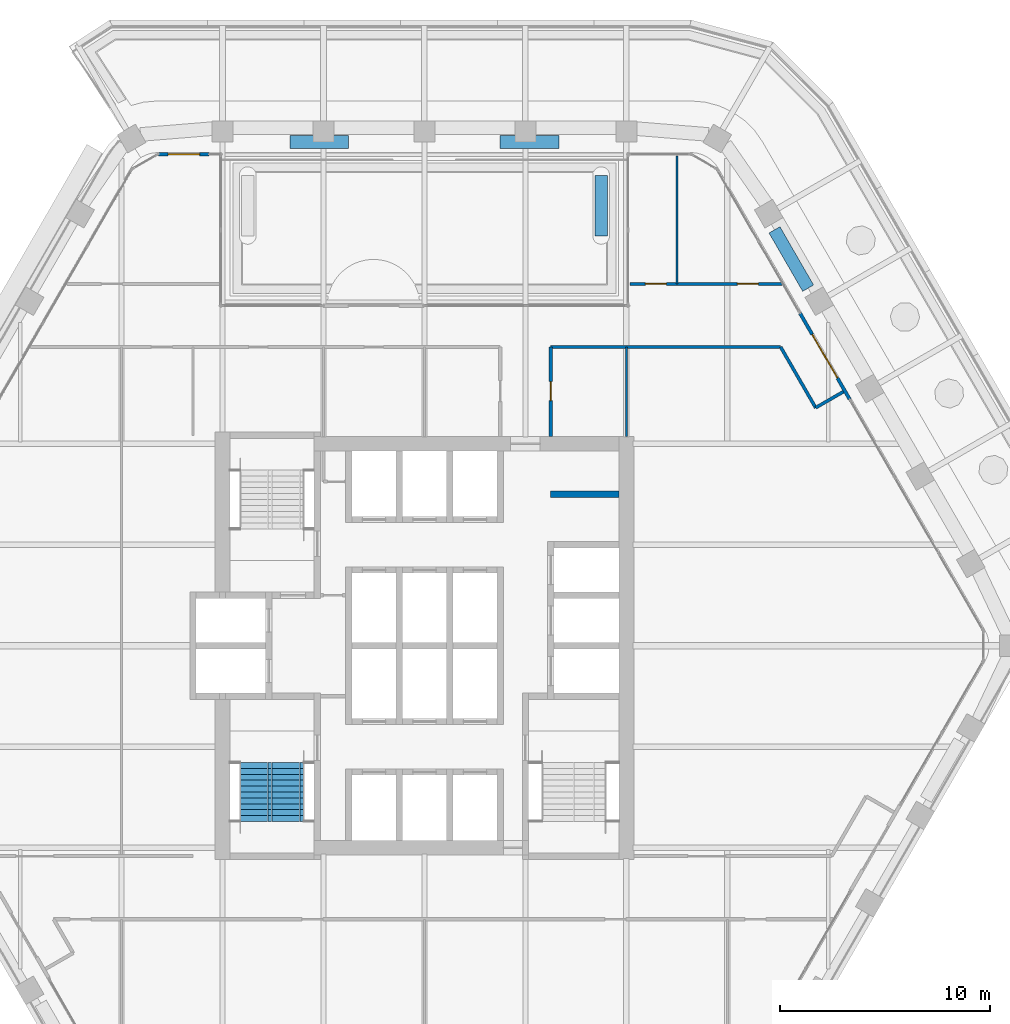
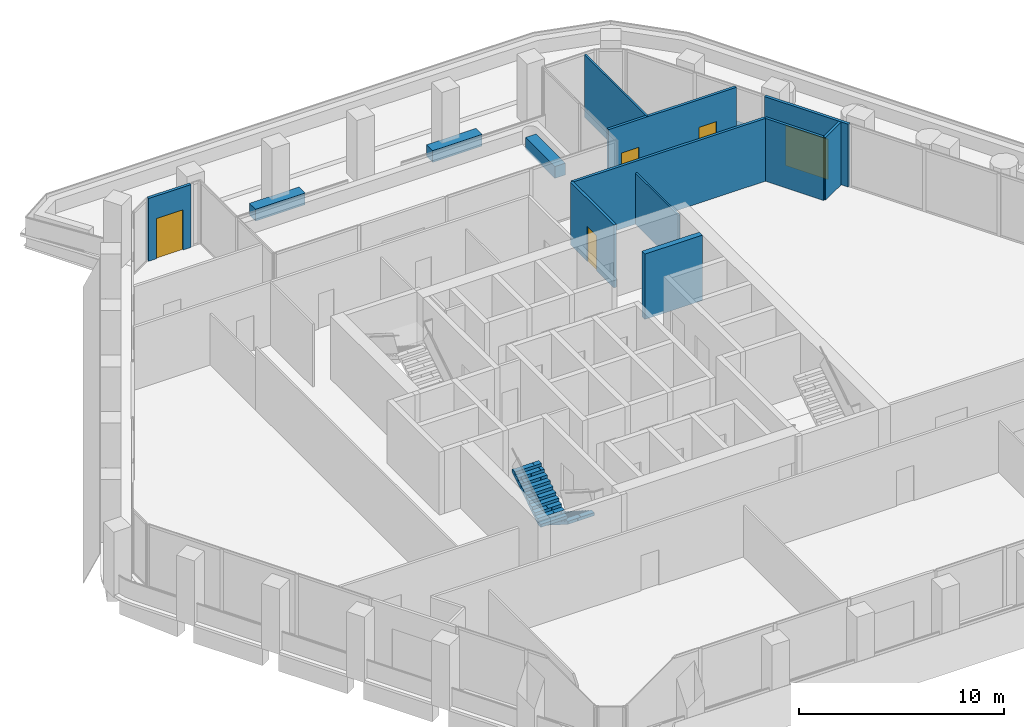
# One storey, part 14 of 17: 14 walls, 5 doors, 2 stair flights, 5 openings, 1 element without a shape of its own.
"""IFC4 building model written with IfcOpenShell, lengths in metres."""

from ifc_helpers import new_model, si_unit, direction, frame, frame_2d, origin, place, context, subcontext, project, spatial, polyline, rectangle, outline, extrude, material, layer, layer_set, type_object, element, fill, aggregate, save


model = new_model("IFC4")

# Units and contexts
model_context = context("Model", 3, precision=1e-05, world=origin(), true_north=direction((0.0, 1.0)))
body_context = subcontext(model_context, "Body", "Model", "MODEL_VIEW")
ifc_project = project(units=[si_unit("LENGTHUNIT", "METRE"), si_unit("AREAUNIT", "SQUARE_METRE"), si_unit("VOLUMEUNIT", "CUBIC_METRE"), si_unit("PLANEANGLEUNIT", "RADIAN"), si_unit("MASSUNIT", "GRAM", prefix="KILO")], contexts=[model_context])

# Site, building, storey
site_placement = place(None, origin())
site = spatial("IfcSite", under=ifc_project, at=site_placement, CompositionType="ELEMENT")
building_placement = place(site_placement, origin())
building = spatial("IfcBuilding", under=site, at=building_placement, Name="Kolab Exchange Tower", CompositionType="ELEMENT")
storey_placement = place(building_placement, frame((0.0, 0.0, 166.10009765625)))
storey = spatial("IfcBuildingStorey", under=building, at=storey_placement, Name="L34", CompositionType="ELEMENT", Elevation=166.10009765625)

# Wall, opening, door
ifc_material_1 = material(Name="Aluminium EN AW-6063 T6", Category="aluminium")
ifc_layer_1 = layer(ifc_material_1, 0.159912109375)
ifc_layer_set_1 = layer_set([ifc_layer_1], Name="Aluminium EN AW-6063 T6")
wall_type_1 = type_object("IfcWallType", Name="DOOR SURROUND WALL 160 ALUMINIUM FRAMED", PredefinedType="PARTITIONING", material=ifc_layer_set_1)
wall_1_placement = place(storey_placement, frame((-12.637939453125, 23.361572265625, 0.0), z_axis=(0.0, 0.0, 1.0), x_axis=(1.0, 0.0, 0.0)))
wall_1 = element("IfcWall", 1, at=wall_1_placement, inside=storey, type_object=wall_type_1, Name="Door surround wall", PredefinedType="PARTITIONING", context=body_context, shape_type="SweptSolid", body=[
    extrude(rectangle(XDim=2.39990234375, YDim=0.159912109375, at=frame_2d((1.199951171875, 0.0))), origin(), (0.0, 0.0, 1.0), 3.75),
])
opening_1_placement = place(wall_1_placement, frame((0.449951171875, 0.0, 0.0)))
opening_1 = element("IfcOpeningElement", 2, at=opening_1_placement, cuts=wall_1, Name="Opening GD2-007", PredefinedType="OPENING", context=body_context, shape_type="SweptSolid", body=[
    extrude(rectangle(XDim=1.5, YDim=2.39990234375, at=frame_2d((0.75, 1.199951171875))), frame((0.0, 0.08984375, 0.0), z_axis=(0.0, -1.0, 0.0), x_axis=(1.0, 0.0, 0.0)), (0.0, 0.0, 1.0), 0.179931640625),
])
door_type_1 = type_object("IfcDoorType", Name="LOGGIA SLIDING GLASS DOOR 1500 X 2400", OperationType="SLIDING_TO_LEFT", PredefinedType="DOOR", material=ifc_material_1)
door_1_placement = place(opening_1_placement, origin())
door_1 = element("IfcDoor", 3, at=door_1_placement, inside=storey, type_object=door_type_1, Name="Loggia door", OperationType="DOUBLE_DOOR_SLIDING", OverallHeight=2.39990234375, OverallWidth=1.5, PredefinedType="DOOR", context=body_context, shape_type="SweptSolid", body=[
    extrude(rectangle(XDim=1.5, YDim=2.39990234375, at=frame_2d((0.75, 1.199951171875))), frame((0.0, 0.02490234375, 0.0), z_axis=(0.0, -1.0, 0.0), x_axis=(1.0, 0.0, 0.0)), (0.0, 0.0, 1.0), 0.050048828125),
])
fill(opening_1, door_1)

wall_2_placement = place(storey_placement, frame((17.8466796875, 15.811767578125, 0.0), z_axis=(0.0, 0.0, 1.0), x_axis=(0.5000167099, -0.866015756104, 0.0)))
wall_2 = element("IfcWall", 4, at=wall_2_placement, inside=storey, type_object=wall_type_1, Name="Door surround wall", PredefinedType="PARTITIONING", context=body_context, shape_type="SweptSolid", body=[
    extrude(rectangle(XDim=4.739990234375, YDim=0.159912109375, at=frame_2d((2.3701171875, 0.0))), origin(), (0.0, 0.0, 1.0), 3.75),
])
opening_2_placement = place(wall_2_placement, frame((1.169921875, 0.0, 0.0)))
opening_2 = element("IfcOpeningElement", 5, at=opening_2_placement, cuts=wall_2, Name="Opening GD1-065", PredefinedType="OPENING", context=body_context, shape_type="SweptSolid", body=[
    extrude(rectangle(XDim=2.39990234375, YDim=2.39990234375, at=frame_2d((1.199951171875, 1.199951171875))), frame((0.0, 0.08984375, 0.0), z_axis=(0.0, -1.0, 0.0), x_axis=(1.0, 0.0, 0.0)), (0.0, 0.0, 1.0), 0.179931640625),
])
door_type_2 = type_object("IfcDoorType", Name="LOGGIA SLIDING GLASS DOOR 2400 X 2400", OperationType="DOUBLE_DOOR_SINGLE_SWING", PredefinedType="DOOR", material=ifc_material_1)
door_2_placement = place(opening_2_placement, origin())
door_2 = element("IfcDoor", 6, at=door_2_placement, inside=storey, type_object=door_type_2, Name="Loggia door", OperationType="DOUBLE_DOOR_SLIDING", OverallHeight=2.39990234375, OverallWidth=2.39990234375, PredefinedType="DOOR", context=body_context, shape_type="SweptSolid", body=[
    extrude(rectangle(XDim=2.39990234375, YDim=2.39990234375, at=frame_2d((1.199951171875, 1.199951171875))), frame((0.0, 0.02490234375, 0.0), z_axis=(0.0, -1.0, 0.0), x_axis=(1.0, 0.0, 0.0)), (0.0, 0.0, 1.0), 0.050048828125),
])
fill(opening_2, door_2)

# Walls
ifc_material_2 = material(Name="Concrete C50/60", Category="concrete")
ifc_layer_2 = layer(ifc_material_2, 0.300048828125)
ifc_layer_set_2 = layer_set([ifc_layer_2], Name="Concrete C50/60")
wall_type_2 = type_object("IfcWallType", Name="LIFT SHAFT WALL 300 C50/60", PredefinedType="STANDARD", material=ifc_layer_set_2)
wall_3_placement = place(storey_placement, frame((6.0, 7.199951171875, -0.150146484375), z_axis=(0.0, 0.0, 1.0), x_axis=(1.0, 0.0, 0.0)))
element("IfcWall", 7, at=wall_3_placement, inside=storey, type_object=wall_type_2, Name="wall/L34/core/030", PredefinedType="STANDARD", context=body_context, shape_type="SweptSolid", body=[
    extrude(rectangle(XDim=3.25, YDim=0.300048828125, at=frame_2d((1.625, 0.0))), origin(), (0.0, 0.0, 1.0), 3.900146484375),
])
ifc_material_3 = material(Name="Gypsum board", Category="gypsum")
ifc_layer_3 = layer(ifc_material_3, 0.10009765625)
ifc_layer_set_3 = layer_set([ifc_layer_3], Name="Gypsum board")
wall_type_3 = type_object("IfcWallType", Name="PARTITION 100", PredefinedType="PARTITIONING", material=ifc_layer_set_3)
wall_4_placement = place(storey_placement, frame((12.0, 17.199951171875, 0.0), z_axis=(0.0, 0.0, 1.0), x_axis=(0.0, 1.0, 0.0)))
element("IfcWall", 8, at=wall_4_placement, inside=storey, type_object=wall_type_3, Name="Partition 001", PredefinedType="PARTITIONING", context=body_context, shape_type="SweptSolid", body=[
    extrude(rectangle(XDim=6.071533203125, YDim=0.10009765625, at=frame_2d((3.03564453125, 0.0))), origin(), (0.0, 0.0, 1.0), 3.75),
])
wall_5_placement = place(storey_placement, frame((9.60009765625, 9.949951171875, 0.0), z_axis=(0.0, 0.0, 1.0), x_axis=(0.0, 1.0, 0.0)))
element("IfcWall", 9, at=wall_5_placement, inside=storey, type_object=wall_type_3, Name="Partition 002", PredefinedType="PARTITIONING", context=body_context, shape_type="SweptSolid", body=[
    extrude(rectangle(XDim=4.25, YDim=0.10009765625, at=frame_2d((2.125, 0.0))), origin(), (0.0, 0.0, 1.0), 3.06591796875),
])

# Wall, opening, door
ifc_layer_4 = layer(ifc_material_3, 0.14990234375)
ifc_layer_set_4 = layer_set([ifc_layer_4], Name="Gypsum board")
wall_type_4 = type_object("IfcWallType", Name="PARTITION 150 FIRE-RATED", PredefinedType="PARTITIONING", material=ifc_layer_set_4)
wall_6_placement = place(storey_placement, frame((6.0, 9.949951171875, 0.0), z_axis=(0.0, 0.0, 1.0), x_axis=(0.0, 1.0, 0.0)))
wall_6 = element("IfcWall", 10, at=wall_6_placement, inside=storey, type_object=wall_type_4, Name="Partition 003", PredefinedType="PARTITIONING", context=body_context, shape_type="SweptSolid", body=[
    extrude(rectangle(XDim=4.25, YDim=0.14990234375, at=frame_2d((2.125, 0.0))), origin(), (0.0, 0.0, 1.0), 3.75),
])
opening_3_placement = place(wall_6_placement, frame((1.699951171875, 0.0, 0.0)))
opening_3 = element("IfcOpeningElement", 11, at=opening_3_placement, cuts=wall_6, Name="Opening D3-048", PredefinedType="OPENING", context=body_context, shape_type="SweptSolid", body=[
    extrude(rectangle(XDim=0.89990234375, YDim=2.10009765625, at=frame_2d((0.449951171875, 1.050048828125))), frame((0.0, 0.0849609375, 0.0), z_axis=(0.0, -1.0, 0.0), x_axis=(1.0, 0.0, 0.0)), (0.0, 0.0, 1.0), 0.169921875),
])
ifc_material_4 = material(Name="Steel S235", Category="steel")
door_type_3 = type_object("IfcDoorType", Name="FLUSH DOOR 900 FD60", OperationType="SINGLE_SWING_LEFT", PredefinedType="DOOR", material=ifc_material_4)
door_3_placement = place(opening_3_placement, frame((0.89990234375, 0.0, 0.0), z_axis=(0.0, 0.0, 1.0), x_axis=(-1.0, 0.0, 0.0)))
door_3 = element("IfcDoor", 12, at=door_3_placement, inside=storey, type_object=door_type_3, Name="Door L34-029", OperationType="SINGLE_SWING_LEFT", OverallHeight=2.10009765625, OverallWidth=0.89990234375, PredefinedType="DOOR", context=body_context, shape_type="SweptSolid", body=[
    extrude(rectangle(XDim=0.89990234375, YDim=2.10009765625, at=frame_2d((0.449951171875, 1.050048828125))), frame((0.0, 0.02490234375, 0.0), z_axis=(0.0, -1.0, 0.0), x_axis=(1.0, 0.0, 0.0)), (0.0, 0.0, 1.0), 0.050048828125),
])
fill(opening_3, door_3)

# Walls
wall_7_placement = place(storey_placement, frame((16.9296875, 14.199951171875, 0.0), z_axis=(0.0, 0.0, 1.0), x_axis=(0.499976106316, -0.86603919837, 0.0)))
element("IfcWall", 13, at=wall_7_placement, inside=storey, type_object=wall_type_4, Name="Partition 013", PredefinedType="PARTITIONING", context=body_context, shape_type="SweptSolid", body=[
    extrude(rectangle(XDim=3.332763671875, YDim=0.14990234375, at=frame_2d((1.66650390625, 0.0))), origin(), (0.0, 0.0, 1.0), 3.75),
])
wall_8_placement = place(storey_placement, frame((18.595947265625, 11.313720703125, 0.0), z_axis=(0.0, 0.0, 1.0), x_axis=(0.866030456496, 0.499991248344, 0.0)))
element("IfcWall", 14, at=wall_8_placement, inside=storey, type_object=wall_type_4, Name="Partition 017", PredefinedType="PARTITIONING", context=body_context, shape_type="SweptSolid", body=[
    extrude(rectangle(XDim=1.52001953125, YDim=0.14990234375, at=frame_2d((0.760009765625, 0.0))), origin(), (0.0, 0.0, 1.0), 3.75),
])
wall_9_placement = place(storey_placement, frame((6.0, 14.199951171875, 0.0), z_axis=(0.0, 0.0, 1.0), x_axis=(1.0, 0.0, 0.0)))
element("IfcWall", 15, at=wall_9_placement, inside=storey, type_object=wall_type_4, Name="Partition 023", PredefinedType="PARTITIONING", context=body_context, shape_type="SweptSolid", body=[
    extrude(rectangle(XDim=10.9296875, YDim=0.14990234375, at=frame_2d((5.46484375, 0.0))), origin(), (0.0, 0.0, 1.0), 3.75),
])

# Wall, openings, doors
wall_10_placement = place(storey_placement, frame((9.77001953125, 17.199951171875, 0.0), z_axis=(0.0, 0.0, 1.0), x_axis=(1.0, 0.0, 0.0)))
wall_10 = element("IfcWall", 16, at=wall_10_placement, inside=storey, type_object=wall_type_4, Name="Partition 025", PredefinedType="PARTITIONING", context=body_context, shape_type="SweptSolid", body=[
    extrude(rectangle(XDim=7.22900390625, YDim=0.14990234375, at=frame_2d((3.614501953125, 0.0))), origin(), (0.0, 0.0, 1.0), 3.75),
])
opening_4_placement = place(wall_10_placement, frame((0.72998046875, 0.0, 0.0)))
opening_4 = element("IfcOpeningElement", 17, at=opening_4_placement, cuts=wall_10, Name="Opening D1-466", PredefinedType="OPENING", context=body_context, shape_type="SweptSolid", body=[
    extrude(rectangle(XDim=1.0, YDim=2.10009765625, at=frame_2d((0.5, 1.050048828125))), frame((0.0, 0.0849609375, 0.0), z_axis=(0.0, -1.0, 0.0), x_axis=(1.0, 0.0, 0.0)), (0.0, 0.0, 1.0), 0.169921875),
])
opening_5_placement = place(wall_10_placement, frame((5.1005859375, 0.0, 0.0)))
opening_5 = element("IfcOpeningElement", 18, at=opening_5_placement, cuts=wall_10, Name="Opening D1-467", PredefinedType="OPENING", context=body_context, shape_type="SweptSolid", body=[
    extrude(rectangle(XDim=1.0, YDim=2.10009765625, at=frame_2d((0.5, 1.050048828125))), frame((0.0, 0.0849609375, 0.0), z_axis=(0.0, -1.0, 0.0), x_axis=(1.0, 0.0, 0.0)), (0.0, 0.0, 1.0), 0.169921875),
])
door_type_4 = type_object("IfcDoorType", Name="FLUSH DOOR 1000 FD60", OperationType="SINGLE_SWING_LEFT", PredefinedType="DOOR", material=ifc_material_4)
door_4_placement = place(opening_4_placement, origin())
door_4 = element("IfcDoor", 19, at=door_4_placement, inside=storey, type_object=door_type_4, Name="Door L34-034", OperationType="SINGLE_SWING_RIGHT", OverallHeight=2.10009765625, OverallWidth=1.0, PredefinedType="DOOR", context=body_context, shape_type="SweptSolid", body=[
    extrude(rectangle(XDim=1.0, YDim=2.10009765625, at=frame_2d((0.5, 1.050048828125))), frame((0.0, 0.02490234375, 0.0), z_axis=(0.0, -1.0, 0.0), x_axis=(1.0, 0.0, 0.0)), (0.0, 0.0, 1.0), 0.050048828125),
])
fill(opening_4, door_4)
door_5_placement = place(opening_5_placement, origin())
door_5 = element("IfcDoor", 20, at=door_5_placement, inside=storey, type_object=door_type_4, Name="Door L34-035", OperationType="SINGLE_SWING_RIGHT", OverallHeight=2.10009765625, OverallWidth=1.0, PredefinedType="DOOR", context=body_context, shape_type="SweptSolid", body=[
    extrude(rectangle(XDim=1.0, YDim=2.10009765625, at=frame_2d((0.5, 1.050048828125))), frame((0.0, 0.02490234375, 0.0), z_axis=(0.0, -1.0, 0.0), x_axis=(1.0, 0.0, 0.0)), (0.0, 0.0, 1.0), 0.050048828125),
])
fill(opening_5, door_5)

# Walls
ifc_material_5 = material(Name="Granite facing", Category="masonry")
ifc_layer_5 = layer(ifc_material_5, 0.0400390625)
ifc_material_6 = material(Name="Concrete C40/50 precast", Category="concrete")
ifc_layer_6 = layer(ifc_material_6, 0.56005859375)
ifc_layer_set_5 = layer_set([ifc_layer_5, ifc_layer_6], Name="Concrete C40/50 precast")
wall_type_5 = type_object("IfcWallType", Name="PLANTER BOX 600 X 700 SOIL DEPTH 550", PredefinedType="USERDEFINED", material=ifc_layer_set_5)
wall_11_placement = place(storey_placement, frame((16.636962890625, 19.766845703125, 0.0), z_axis=(0.0, 0.0, 1.0), x_axis=(0.500028443584, -0.866008981251, 0.0)))
element("IfcWall", 21, at=wall_11_placement, inside=storey, type_object=wall_type_5, Name="Planter", ObjectType="PLANTER", PredefinedType="USERDEFINED", context=body_context, shape_type="SweptSolid", body=[
    extrude(rectangle(XDim=3.199951171875, YDim=0.60009765625, at=frame_2d((1.60009765625, 0.0))), origin(), (0.0, 0.0, 1.0), 0.699951171875),
])
wall_12_placement = place(storey_placement, frame((8.39990234375, 19.4814453125, 0.0), z_axis=(0.0, 0.0, 1.0), x_axis=(0.0, 1.0, 0.0)))
element("IfcWall", 22, at=wall_12_placement, inside=storey, type_object=wall_type_5, Name="Planter", ObjectType="PLANTER", PredefinedType="USERDEFINED", context=body_context, shape_type="SweptSolid", body=[
    extrude(rectangle(XDim=2.880126953125, YDim=0.60009765625, at=frame_2d((1.43994140625, 0.0))), origin(), (0.0, 0.0, 1.0), 0.699951171875),
])
for number, where, z_axis, x_axis, name in (
    (23, (-3.60009765625, 23.941650390625, 0.0), (0.0, 0.0, 1.0), (-1.0, 0.0, 0.0), "Planter"),
    (24, (3.60009765625, 23.941650390625, 0.0), (0.0, 0.0, 1.0), (1.0, 0.0, 0.0), "Planter"),
):
    element("IfcWall", number, at=place(storey_placement, frame(where, z_axis=z_axis, x_axis=x_axis)), inside=storey, type_object=wall_type_5, Name=name, ObjectType="PLANTER", PredefinedType="USERDEFINED", context=body_context, shape_type="SweptSolid", body=[
        extrude(rectangle(XDim=2.7998046875, YDim=0.60009765625, at=frame_2d((1.39990234375, 0.0))), origin(), (0.0, 0.0, 1.0), 0.699951171875),
    ])

# Stair, stair flights
stair_type = type_object("IfcStairType", Name="STAIR ST3 RISER 177.3", PredefinedType="HALF_TURN_STAIR", material=ifc_material_2)
stair_placement = place(storey_placement, origin())
stair = element("IfcStair", 25, at=stair_placement, inside=storey, type_object=stair_type, Name="Stair 3", PredefinedType="HALF_TURN_STAIR")
stair_flight_type = type_object("IfcStairFlightType", Name="STAIR FLIGHT 1500 RISER 177.3", PredefinedType="STRAIGHT", material=ifc_material_2)
stair_flight_1_placement = place(storey_placement, frame((-6.489990234375, -5.550048828125, 0.0), z_axis=(0.0, 0.0, 1.0), x_axis=(0.0, -1.0, 0.0)))
stair_flight_1 = element("IfcStairFlight", 26, at=stair_flight_1_placement, type_object=stair_flight_type, Name="ST3 flight 1", NumberOfRisers=11, NumberOfTreads=10, PredefinedType="STRAIGHT", RiserHeight=0.177272727, TreadLength=0.28, context=body_context, shape_type="SweptSolid", body=[
    extrude(outline(polyline([(0.0, 0.0), (0.0, 0.17724609375), (0.280029296875, 0.17724609375), (0.280029296875, 0.3544921875), (0.56005859375, 0.3544921875), (0.56005859375, 0.53173828125), (0.840087890625, 0.53173828125), (0.840087890625, 0.708984375), (1.1201171875, 0.708984375), (1.1201171875, 0.886474609375), (1.39990234375, 0.886474609375), (1.39990234375, 1.063720703125), (1.679931640625, 1.063720703125), (1.679931640625, 1.240966796875), (1.9599609375, 1.240966796875), (1.9599609375, 1.418212890625), (2.239990234375, 1.418212890625), (2.239990234375, 1.595458984375), (2.52001953125, 1.595458984375), (2.52001953125, 1.772705078125), (2.800048828125, 1.772705078125), (2.800048828125, 1.949951171875), (2.800048828125, 1.59521484375), (0.2802734375, 0.0), (0.0, 0.0)])), frame((0.0, 0.75, 0.0), z_axis=(0.0, -1.0, 0.0), x_axis=(1.0, 0.0, 0.0)), (0.0, 0.0, 1.0), 0.185791015625),
    extrude(outline(polyline([(0.0, 0.0), (0.0, 0.17724609375), (0.280029296875, 0.17724609375), (0.280029296875, 0.3544921875), (0.56005859375, 0.3544921875), (0.56005859375, 0.53173828125), (0.840087890625, 0.53173828125), (0.840087890625, 0.708984375), (1.1201171875, 0.708984375), (1.1201171875, 0.886474609375), (1.39990234375, 0.886474609375), (1.39990234375, 1.063720703125), (1.679931640625, 1.063720703125), (1.679931640625, 1.240966796875), (1.9599609375, 1.240966796875), (1.9599609375, 1.418212890625), (2.239990234375, 1.418212890625), (2.239990234375, 1.595458984375), (2.52001953125, 1.595458984375), (2.52001953125, 1.772705078125), (2.800048828125, 1.772705078125), (2.800048828125, 1.949951171875), (2.800048828125, 1.59521484375), (0.2802734375, 0.0), (0.0, 0.0)])), frame((0.0, 0.562255859375, 0.0), z_axis=(0.0, -1.0, 0.0), x_axis=(1.0, 0.0, 0.0)), (0.0, 0.0, 1.0), 0.185791015625),
    extrude(outline(polyline([(0.0, 0.0), (0.0, 0.17724609375), (0.280029296875, 0.17724609375), (0.280029296875, 0.3544921875), (0.56005859375, 0.3544921875), (0.56005859375, 0.53173828125), (0.840087890625, 0.53173828125), (0.840087890625, 0.708984375), (1.1201171875, 0.708984375), (1.1201171875, 0.886474609375), (1.39990234375, 0.886474609375), (1.39990234375, 1.063720703125), (1.679931640625, 1.063720703125), (1.679931640625, 1.240966796875), (1.9599609375, 1.240966796875), (1.9599609375, 1.418212890625), (2.239990234375, 1.418212890625), (2.239990234375, 1.595458984375), (2.52001953125, 1.595458984375), (2.52001953125, 1.772705078125), (2.800048828125, 1.772705078125), (2.800048828125, 1.949951171875), (2.800048828125, 1.59521484375), (0.2802734375, 0.0), (0.0, 0.0)])), frame((0.0, 0.37451171875, 0.0), z_axis=(0.0, -1.0, 0.0), x_axis=(1.0, 0.0, 0.0)), (0.0, 0.0, 1.0), 0.185791015625),
    extrude(outline(polyline([(0.0, 0.0), (0.0, 0.17724609375), (0.280029296875, 0.17724609375), (0.280029296875, 0.3544921875), (0.56005859375, 0.3544921875), (0.56005859375, 0.53173828125), (0.840087890625, 0.53173828125), (0.840087890625, 0.708984375), (1.1201171875, 0.708984375), (1.1201171875, 0.886474609375), (1.39990234375, 0.886474609375), (1.39990234375, 1.063720703125), (1.679931640625, 1.063720703125), (1.679931640625, 1.240966796875), (1.9599609375, 1.240966796875), (1.9599609375, 1.418212890625), (2.239990234375, 1.418212890625), (2.239990234375, 1.595458984375), (2.52001953125, 1.595458984375), (2.52001953125, 1.772705078125), (2.800048828125, 1.772705078125), (2.800048828125, 1.949951171875), (2.800048828125, 1.59521484375), (0.2802734375, 0.0), (0.0, 0.0)])), frame((0.0, 0.186767578125, 0.0), z_axis=(0.0, -1.0, 0.0), x_axis=(1.0, 0.0, 0.0)), (0.0, 0.0, 1.0), 0.185791015625),
    extrude(outline(polyline([(0.0, 0.0), (0.0, 0.17724609375), (0.280029296875, 0.17724609375), (0.280029296875, 0.3544921875), (0.56005859375, 0.3544921875), (0.56005859375, 0.53173828125), (0.840087890625, 0.53173828125), (0.840087890625, 0.708984375), (1.1201171875, 0.708984375), (1.1201171875, 0.886474609375), (1.39990234375, 0.886474609375), (1.39990234375, 1.063720703125), (1.679931640625, 1.063720703125), (1.679931640625, 1.240966796875), (1.9599609375, 1.240966796875), (1.9599609375, 1.418212890625), (2.239990234375, 1.418212890625), (2.239990234375, 1.595458984375), (2.52001953125, 1.595458984375), (2.52001953125, 1.772705078125), (2.800048828125, 1.772705078125), (2.800048828125, 1.949951171875), (2.800048828125, 1.59521484375), (0.2802734375, 0.0), (0.0, 0.0)])), frame((0.0, -0.0009765625, 0.0), z_axis=(0.0, -1.0, 0.0), x_axis=(1.0, 0.0, 0.0)), (0.0, 0.0, 1.0), 0.185791015625),
    extrude(outline(polyline([(0.0, 0.0), (0.0, 0.17724609375), (0.280029296875, 0.17724609375), (0.280029296875, 0.3544921875), (0.56005859375, 0.3544921875), (0.56005859375, 0.53173828125), (0.840087890625, 0.53173828125), (0.840087890625, 0.708984375), (1.1201171875, 0.708984375), (1.1201171875, 0.886474609375), (1.39990234375, 0.886474609375), (1.39990234375, 1.063720703125), (1.679931640625, 1.063720703125), (1.679931640625, 1.240966796875), (1.9599609375, 1.240966796875), (1.9599609375, 1.418212890625), (2.239990234375, 1.418212890625), (2.239990234375, 1.595458984375), (2.52001953125, 1.595458984375), (2.52001953125, 1.772705078125), (2.800048828125, 1.772705078125), (2.800048828125, 1.949951171875), (2.800048828125, 1.59521484375), (0.2802734375, 0.0), (0.0, 0.0)])), frame((0.0, -0.188720703125, 0.0), z_axis=(0.0, -1.0, 0.0), x_axis=(1.0, 0.0, 0.0)), (0.0, 0.0, 1.0), 0.185791015625),
    extrude(outline(polyline([(0.0, 0.0), (0.0, 0.17724609375), (0.280029296875, 0.17724609375), (0.280029296875, 0.3544921875), (0.56005859375, 0.3544921875), (0.56005859375, 0.53173828125), (0.840087890625, 0.53173828125), (0.840087890625, 0.708984375), (1.1201171875, 0.708984375), (1.1201171875, 0.886474609375), (1.39990234375, 0.886474609375), (1.39990234375, 1.063720703125), (1.679931640625, 1.063720703125), (1.679931640625, 1.240966796875), (1.9599609375, 1.240966796875), (1.9599609375, 1.418212890625), (2.239990234375, 1.418212890625), (2.239990234375, 1.595458984375), (2.52001953125, 1.595458984375), (2.52001953125, 1.772705078125), (2.800048828125, 1.772705078125), (2.800048828125, 1.949951171875), (2.800048828125, 1.59521484375), (0.2802734375, 0.0), (0.0, 0.0)])), frame((0.0, -0.37646484375, 0.0), z_axis=(0.0, -1.0, 0.0), x_axis=(1.0, 0.0, 0.0)), (0.0, 0.0, 1.0), 0.185791015625),
    extrude(outline(polyline([(0.0, 0.0), (0.0, 0.17724609375), (0.280029296875, 0.17724609375), (0.280029296875, 0.3544921875), (0.56005859375, 0.3544921875), (0.56005859375, 0.53173828125), (0.840087890625, 0.53173828125), (0.840087890625, 0.708984375), (1.1201171875, 0.708984375), (1.1201171875, 0.886474609375), (1.39990234375, 0.886474609375), (1.39990234375, 1.063720703125), (1.679931640625, 1.063720703125), (1.679931640625, 1.240966796875), (1.9599609375, 1.240966796875), (1.9599609375, 1.418212890625), (2.239990234375, 1.418212890625), (2.239990234375, 1.595458984375), (2.52001953125, 1.595458984375), (2.52001953125, 1.772705078125), (2.800048828125, 1.772705078125), (2.800048828125, 1.949951171875), (2.800048828125, 1.59521484375), (0.2802734375, 0.0), (0.0, 0.0)])), frame((0.0, -0.564208984375, 0.0), z_axis=(0.0, -1.0, 0.0), x_axis=(1.0, 0.0, 0.0)), (0.0, 0.0, 1.0), 0.185791015625),
])
stair_flight_2_placement = place(storey_placement, frame((-8.010009765625, -8.35009765625, 1.949951171875), z_axis=(0.0, 0.0, 1.0), x_axis=(0.0, 1.0, 0.0)))
stair_flight_2 = element("IfcStairFlight", 27, at=stair_flight_2_placement, type_object=stair_flight_type, Name="ST3 flight 2", NumberOfRisers=11, NumberOfTreads=10, PredefinedType="STRAIGHT", RiserHeight=0.177272727, TreadLength=0.28, context=body_context, shape_type="SweptSolid", body=[
    extrude(outline(polyline([(0.0, 0.0), (0.0, 0.17724609375), (0.280029296875, 0.17724609375), (0.280029296875, 0.3544921875), (0.56005859375, 0.3544921875), (0.56005859375, 0.53173828125), (0.840087890625, 0.53173828125), (0.840087890625, 0.708984375), (1.1201171875, 0.708984375), (1.1201171875, 0.886474609375), (1.39990234375, 0.886474609375), (1.39990234375, 1.063720703125), (1.679931640625, 1.063720703125), (1.679931640625, 1.240966796875), (1.9599609375, 1.240966796875), (1.9599609375, 1.418212890625), (2.239990234375, 1.418212890625), (2.239990234375, 1.595458984375), (2.52001953125, 1.595458984375), (2.52001953125, 1.772705078125), (2.800048828125, 1.772705078125), (2.800048828125, 1.949951171875), (2.800048828125, 1.59521484375), (0.2802734375, 0.0), (0.0, 0.0)])), frame((0.0, 0.75, 0.0), z_axis=(0.0, -1.0, 0.0), x_axis=(1.0, 0.0, 0.0)), (0.0, 0.0, 1.0), 0.185791015625),
    extrude(outline(polyline([(0.0, 0.0), (0.0, 0.17724609375), (0.280029296875, 0.17724609375), (0.280029296875, 0.3544921875), (0.56005859375, 0.3544921875), (0.56005859375, 0.53173828125), (0.840087890625, 0.53173828125), (0.840087890625, 0.708984375), (1.1201171875, 0.708984375), (1.1201171875, 0.886474609375), (1.39990234375, 0.886474609375), (1.39990234375, 1.063720703125), (1.679931640625, 1.063720703125), (1.679931640625, 1.240966796875), (1.9599609375, 1.240966796875), (1.9599609375, 1.418212890625), (2.239990234375, 1.418212890625), (2.239990234375, 1.595458984375), (2.52001953125, 1.595458984375), (2.52001953125, 1.772705078125), (2.800048828125, 1.772705078125), (2.800048828125, 1.949951171875), (2.800048828125, 1.59521484375), (0.2802734375, 0.0), (0.0, 0.0)])), frame((0.0, 0.562255859375, 0.0), z_axis=(0.0, -1.0, 0.0), x_axis=(1.0, 0.0, 0.0)), (0.0, 0.0, 1.0), 0.185791015625),
    extrude(outline(polyline([(0.0, 0.0), (0.0, 0.17724609375), (0.280029296875, 0.17724609375), (0.280029296875, 0.3544921875), (0.56005859375, 0.3544921875), (0.56005859375, 0.53173828125), (0.840087890625, 0.53173828125), (0.840087890625, 0.708984375), (1.1201171875, 0.708984375), (1.1201171875, 0.886474609375), (1.39990234375, 0.886474609375), (1.39990234375, 1.063720703125), (1.679931640625, 1.063720703125), (1.679931640625, 1.240966796875), (1.9599609375, 1.240966796875), (1.9599609375, 1.418212890625), (2.239990234375, 1.418212890625), (2.239990234375, 1.595458984375), (2.52001953125, 1.595458984375), (2.52001953125, 1.772705078125), (2.800048828125, 1.772705078125), (2.800048828125, 1.949951171875), (2.800048828125, 1.59521484375), (0.2802734375, 0.0), (0.0, 0.0)])), frame((0.0, 0.37451171875, 0.0), z_axis=(0.0, -1.0, 0.0), x_axis=(1.0, 0.0, 0.0)), (0.0, 0.0, 1.0), 0.185791015625),
    extrude(outline(polyline([(0.0, 0.0), (0.0, 0.17724609375), (0.280029296875, 0.17724609375), (0.280029296875, 0.3544921875), (0.56005859375, 0.3544921875), (0.56005859375, 0.53173828125), (0.840087890625, 0.53173828125), (0.840087890625, 0.708984375), (1.1201171875, 0.708984375), (1.1201171875, 0.886474609375), (1.39990234375, 0.886474609375), (1.39990234375, 1.063720703125), (1.679931640625, 1.063720703125), (1.679931640625, 1.240966796875), (1.9599609375, 1.240966796875), (1.9599609375, 1.418212890625), (2.239990234375, 1.418212890625), (2.239990234375, 1.595458984375), (2.52001953125, 1.595458984375), (2.52001953125, 1.772705078125), (2.800048828125, 1.772705078125), (2.800048828125, 1.949951171875), (2.800048828125, 1.59521484375), (0.2802734375, 0.0), (0.0, 0.0)])), frame((0.0, 0.186767578125, 0.0), z_axis=(0.0, -1.0, 0.0), x_axis=(1.0, 0.0, 0.0)), (0.0, 0.0, 1.0), 0.185791015625),
    extrude(outline(polyline([(0.0, 0.0), (0.0, 0.17724609375), (0.280029296875, 0.17724609375), (0.280029296875, 0.3544921875), (0.56005859375, 0.3544921875), (0.56005859375, 0.53173828125), (0.840087890625, 0.53173828125), (0.840087890625, 0.708984375), (1.1201171875, 0.708984375), (1.1201171875, 0.886474609375), (1.39990234375, 0.886474609375), (1.39990234375, 1.063720703125), (1.679931640625, 1.063720703125), (1.679931640625, 1.240966796875), (1.9599609375, 1.240966796875), (1.9599609375, 1.418212890625), (2.239990234375, 1.418212890625), (2.239990234375, 1.595458984375), (2.52001953125, 1.595458984375), (2.52001953125, 1.772705078125), (2.800048828125, 1.772705078125), (2.800048828125, 1.949951171875), (2.800048828125, 1.59521484375), (0.2802734375, 0.0), (0.0, 0.0)])), frame((0.0, -0.0009765625, 0.0), z_axis=(0.0, -1.0, 0.0), x_axis=(1.0, 0.0, 0.0)), (0.0, 0.0, 1.0), 0.185791015625),
    extrude(outline(polyline([(0.0, 0.0), (0.0, 0.17724609375), (0.280029296875, 0.17724609375), (0.280029296875, 0.3544921875), (0.56005859375, 0.3544921875), (0.56005859375, 0.53173828125), (0.840087890625, 0.53173828125), (0.840087890625, 0.708984375), (1.1201171875, 0.708984375), (1.1201171875, 0.886474609375), (1.39990234375, 0.886474609375), (1.39990234375, 1.063720703125), (1.679931640625, 1.063720703125), (1.679931640625, 1.240966796875), (1.9599609375, 1.240966796875), (1.9599609375, 1.418212890625), (2.239990234375, 1.418212890625), (2.239990234375, 1.595458984375), (2.52001953125, 1.595458984375), (2.52001953125, 1.772705078125), (2.800048828125, 1.772705078125), (2.800048828125, 1.949951171875), (2.800048828125, 1.59521484375), (0.2802734375, 0.0), (0.0, 0.0)])), frame((0.0, -0.188720703125, 0.0), z_axis=(0.0, -1.0, 0.0), x_axis=(1.0, 0.0, 0.0)), (0.0, 0.0, 1.0), 0.185791015625),
    extrude(outline(polyline([(0.0, 0.0), (0.0, 0.17724609375), (0.280029296875, 0.17724609375), (0.280029296875, 0.3544921875), (0.56005859375, 0.3544921875), (0.56005859375, 0.53173828125), (0.840087890625, 0.53173828125), (0.840087890625, 0.708984375), (1.1201171875, 0.708984375), (1.1201171875, 0.886474609375), (1.39990234375, 0.886474609375), (1.39990234375, 1.063720703125), (1.679931640625, 1.063720703125), (1.679931640625, 1.240966796875), (1.9599609375, 1.240966796875), (1.9599609375, 1.418212890625), (2.239990234375, 1.418212890625), (2.239990234375, 1.595458984375), (2.52001953125, 1.595458984375), (2.52001953125, 1.772705078125), (2.800048828125, 1.772705078125), (2.800048828125, 1.949951171875), (2.800048828125, 1.59521484375), (0.2802734375, 0.0), (0.0, 0.0)])), frame((0.0, -0.37646484375, 0.0), z_axis=(0.0, -1.0, 0.0), x_axis=(1.0, 0.0, 0.0)), (0.0, 0.0, 1.0), 0.185791015625),
    extrude(outline(polyline([(0.0, 0.0), (0.0, 0.17724609375), (0.280029296875, 0.17724609375), (0.280029296875, 0.3544921875), (0.56005859375, 0.3544921875), (0.56005859375, 0.53173828125), (0.840087890625, 0.53173828125), (0.840087890625, 0.708984375), (1.1201171875, 0.708984375), (1.1201171875, 0.886474609375), (1.39990234375, 0.886474609375), (1.39990234375, 1.063720703125), (1.679931640625, 1.063720703125), (1.679931640625, 1.240966796875), (1.9599609375, 1.240966796875), (1.9599609375, 1.418212890625), (2.239990234375, 1.418212890625), (2.239990234375, 1.595458984375), (2.52001953125, 1.595458984375), (2.52001953125, 1.772705078125), (2.800048828125, 1.772705078125), (2.800048828125, 1.949951171875), (2.800048828125, 1.59521484375), (0.2802734375, 0.0), (0.0, 0.0)])), frame((0.0, -0.564208984375, 0.0), z_axis=(0.0, -1.0, 0.0), x_axis=(1.0, 0.0, 0.0)), (0.0, 0.0, 1.0), 0.185791015625),
])
aggregate(stair, [stair_flight_1, stair_flight_2])

save(model, "model.ifc")
